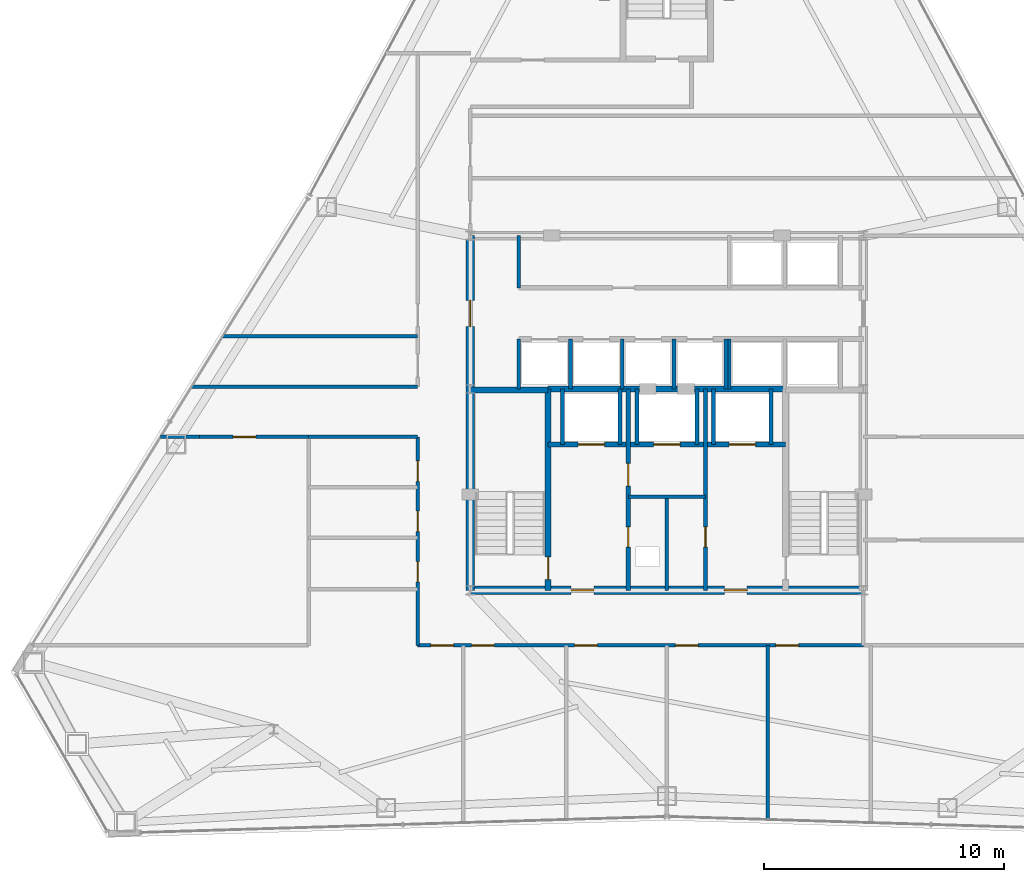
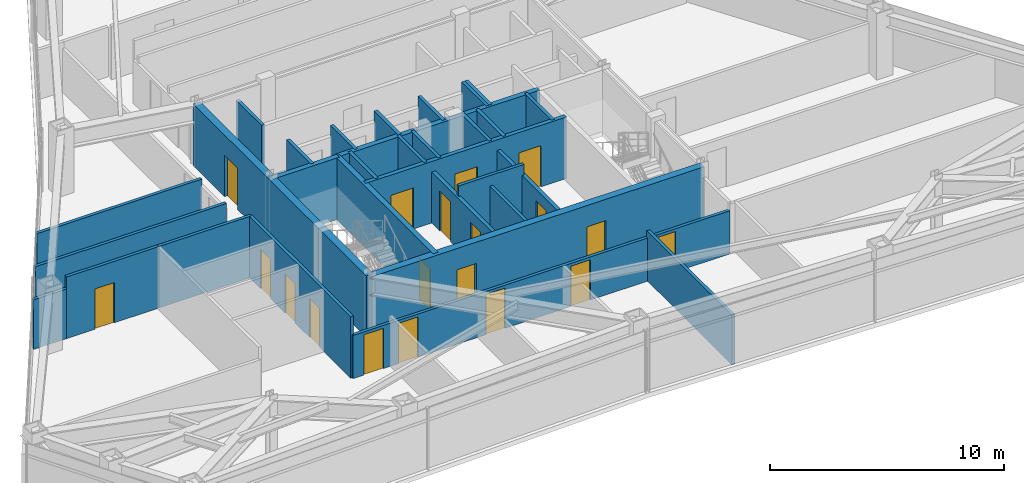
# One storey, part 10 of 13: 31 walls, 19 doors, 19 openings.
"""IFC4 building model written with IfcOpenShell, lengths in metres."""

from ifc_helpers import new_model, si_unit, direction, frame, frame_2d, origin, place, context, subcontext, project, spatial, rectangle, extrude, material, layer, layer_set, type_object, element, fill, save


model = new_model("IFC4")

# Units and contexts
model_context = context("Model", 3, precision=1e-05, world=origin(), true_north=direction((0.0, 1.0)))
body_context = subcontext(model_context, "Body", "Model", "MODEL_VIEW")
ifc_project = project(units=[si_unit("LENGTHUNIT", "METRE"), si_unit("AREAUNIT", "SQUARE_METRE"), si_unit("VOLUMEUNIT", "CUBIC_METRE"), si_unit("PLANEANGLEUNIT", "RADIAN"), si_unit("MASSUNIT", "GRAM", prefix="KILO")], contexts=[model_context])

# Site, building, storey
site_placement = place(None, origin())
site = spatial("IfcSite", under=ifc_project, at=site_placement, CompositionType="ELEMENT")
building_placement = place(site_placement, origin())
building = spatial("IfcBuilding", under=site, at=building_placement, Name="Varakhsha Concourse Tower", CompositionType="ELEMENT")
storey_placement = place(building_placement, frame((0.0, 0.0, 165.449951171875)))
storey = spatial("IfcBuildingStorey", under=building, at=storey_placement, Name="L47", CompositionType="ELEMENT", Elevation=165.449951171875)

# Wall, openings, doors
ifc_material_1 = material(Name="Concrete fc 65 MPa", Category="concrete")
ifc_layer_1 = layer(ifc_material_1, 0.35009765625, Name="WL-CORE-350")
ifc_layer_set_1 = layer_set([ifc_layer_1], Name="Concrete fc 65 MPa")
wall_type_1 = type_object("IfcWallType", Name="WL-CORE-350", PredefinedType="SHEAR", material=ifc_layer_set_1)
wall_1_placement = place(storey_placement, frame((31.800048828125, 16.39990234375, 0.0), z_axis=(0.0, 0.0, 1.0), x_axis=(1.0, 0.0, 0.0)))
wall_1 = element("IfcWall", 1, at=wall_1_placement, inside=storey, type_object=wall_type_1, Name="L47 Wall CWALL-S-L47", PredefinedType="SHEAR", context=body_context, shape_type="SweptSolid", body=[
    extrude(rectangle(XDim=16.39990234375, YDim=0.35009765625, at=frame_2d((8.199951171875, 0.0))), origin(), (0.0, 0.0, 1.0), 3.2099609375),
])
opening_1_placement = place(wall_1_placement, frame((4.199951171875, 0.0, 0.0)))
opening_1 = element("IfcOpeningElement", 2, at=opening_1_placement, cuts=wall_1, Name="Opening DF-05", PredefinedType="OPENING", context=body_context, shape_type="SweptSolid", body=[
    extrude(rectangle(XDim=0.949951171875, YDim=2.10009765625, at=frame_2d((0.47509765625, 1.050048828125))), frame((0.0, 0.18505859375, 0.0), z_axis=(0.0, -1.0, 0.0), x_axis=(1.0, 0.0, 0.0)), (0.0, 0.0, 1.0), 0.3701171875),
])
opening_2_placement = place(wall_1_placement, frame((10.60009765625, 0.0, 0.0)))
opening_2 = element("IfcOpeningElement", 3, at=opening_2_placement, cuts=wall_1, Name="Opening DF-05", PredefinedType="OPENING", context=body_context, shape_type="SweptSolid", body=[
    extrude(rectangle(XDim=0.949951171875, YDim=2.10009765625, at=frame_2d((0.47509765625, 1.050048828125))), frame((0.0, 0.18505859375, 0.0), z_axis=(0.0, -1.0, 0.0), x_axis=(1.0, 0.0, 0.0)), (0.0, 0.0, 1.0), 0.3701171875),
])
ifc_material_2 = material(Name="Hollow Galvanised Steel Fire Door Assembly", Category="steel")
door_type_1 = type_object("IfcDoorType", Name="DR-FD60-950", OperationType="NOTDEFINED", PredefinedType="DOOR", material=ifc_material_2)
door_1_placement = place(opening_1_placement, origin())
door_1 = element("IfcDoor", 4, at=door_1_placement, inside=storey, type_object=door_type_1, Name="L47 Firefighting Lobby West Door", OperationType="SINGLE_SWING_RIGHT", OverallHeight=2.10009765625, OverallWidth=0.949951171875, PredefinedType="DOOR", context=body_context, shape_type="SweptSolid", body=[
    extrude(rectangle(XDim=0.949951171875, YDim=2.10009765625, at=frame_2d((0.47509765625, 1.050048828125))), frame((0.0, 0.02490234375, 0.0), z_axis=(0.0, -1.0, 0.0), x_axis=(1.0, 0.0, 0.0)), (0.0, 0.0, 1.0), 0.050048828125),
])
fill(opening_1, door_1)
door_2_placement = place(opening_2_placement, origin())
door_2 = element("IfcDoor", 5, at=door_2_placement, inside=storey, type_object=door_type_1, Name="L47 Firefighting Lobby East Door", OperationType="SINGLE_SWING_LEFT", OverallHeight=2.10009765625, OverallWidth=0.949951171875, PredefinedType="DOOR", context=body_context, shape_type="SweptSolid", body=[
    extrude(rectangle(XDim=0.949951171875, YDim=2.10009765625, at=frame_2d((0.47509765625, 1.050048828125))), frame((0.0, 0.02490234375, 0.0), z_axis=(0.0, -1.0, 0.0), x_axis=(1.0, 0.0, 0.0)), (0.0, 0.0, 1.0), 0.050048828125),
])
fill(opening_2, door_2)

# Wall, opening, door
wall_2_placement = place(storey_placement, frame((31.800048828125, 16.39990234375, 0.0), z_axis=(0.0, 0.0, 1.0), x_axis=(0.0, 1.0, 0.0)))
wall_2 = element("IfcWall", 6, at=wall_2_placement, inside=storey, type_object=wall_type_1, Name="L47 Wall CWALL-W-L47", PredefinedType="SHEAR", context=body_context, shape_type="SweptSolid", body=[
    extrude(rectangle(XDim=14.800048828125, YDim=0.35009765625, at=frame_2d((7.39990234375, 0.0))), origin(), (0.0, 0.0, 1.0), 3.2099609375),
])
opening_3_placement = place(wall_2_placement, frame((11.0, 0.0, 0.0)))
opening_3 = element("IfcOpeningElement", 7, at=opening_3_placement, cuts=wall_2, Name="Opening DL-01", PredefinedType="OPENING", context=body_context, shape_type="SweptSolid", body=[
    extrude(rectangle(XDim=1.10009765625, YDim=2.14990234375, at=frame_2d((0.550048828125, 1.074951171875))), frame((0.0, 0.18505859375, 0.0), z_axis=(0.0, -1.0, 0.0), x_axis=(1.0, 0.0, 0.0)), (0.0, 0.0, 1.0), 0.3701171875),
])
ifc_material_3 = material(Name="Anodised Bronze Architectural Aluminium AA 6063-T6", Category="aluminium")
door_type_2 = type_object("IfcDoorType", Name="DR-LOB-1100", OperationType="NOTDEFINED", PredefinedType="DOOR", material=ifc_material_3)
door_3_placement = place(opening_3_placement, origin())
door_3 = element("IfcDoor", 8, at=door_3_placement, inside=storey, type_object=door_type_2, Name="L47 Lift Lobby West Concourse Door", OperationType="SINGLE_SWING_LEFT", OverallHeight=2.14990234375, OverallWidth=1.10009765625, PredefinedType="DOOR", context=body_context, shape_type="SweptSolid", body=[
    extrude(rectangle(XDim=1.10009765625, YDim=2.14990234375, at=frame_2d((0.550048828125, 1.074951171875))), frame((0.0, 0.02490234375, 0.0), z_axis=(0.0, -1.0, 0.0), x_axis=(1.0, 0.0, 0.0)), (0.0, 0.0, 1.0), 0.050048828125),
])
fill(opening_3, door_3)

# Wall, openings, doors
ifc_material_4 = material(Name="Fire-Rated Type X Gypsum Partition Assembly", Category="gypsum")
ifc_layer_2 = layer(ifc_material_4, 0.179931640625, Name="WL-FFLOB-180")
ifc_layer_set_2 = layer_set([ifc_layer_2], Name="Fire-Rated Type X Gypsum Partition Assembly")
wall_type_2 = type_object("IfcWallType", Name="WL-FFLOB-180", PredefinedType="PARTITIONING", material=ifc_layer_set_2)
wall_3_placement = place(storey_placement, frame((38.389892578125, 16.39990234375, 0.0), z_axis=(0.0, 0.0, 1.0), x_axis=(0.0, 1.0, 0.0)))
wall_3 = element("IfcWall", 9, at=wall_3_placement, inside=storey, type_object=wall_type_2, Name="L47 Wall FFW-1E-L47", PredefinedType="PARTITIONING", context=body_context, shape_type="SweptSolid", body=[
    extrude(rectangle(XDim=8.400146484375, YDim=0.179931640625, at=frame_2d((4.2001953125, 0.0))), origin(), (0.0, 0.0, 1.0), 2.6650390625),
])
opening_4_placement = place(wall_3_placement, frame((1.800048828125, 0.0, 0.0)))
opening_4 = element("IfcOpeningElement", 10, at=opening_4_placement, cuts=wall_3, Name="Opening DF-07", PredefinedType="OPENING", context=body_context, shape_type="SweptSolid", body=[
    extrude(rectangle(XDim=0.85009765625, YDim=2.050048828125, at=frame_2d((0.425048828125, 1.02490234375))), frame((0.0, 0.099853515625, 0.0), z_axis=(0.0, -1.0, 0.0), x_axis=(1.0, 0.0, 0.0)), (0.0, 0.0, 1.0), 0.199951171875),
])
opening_5_placement = place(wall_3_placement, frame((4.35009765625, 0.0, 0.0)))
opening_5 = element("IfcOpeningElement", 11, at=opening_5_placement, cuts=wall_3, Name="Opening DF-05", PredefinedType="OPENING", context=body_context, shape_type="SweptSolid", body=[
    extrude(rectangle(XDim=0.949951171875, YDim=2.10009765625, at=frame_2d((0.47509765625, 1.050048828125))), frame((0.0, 0.099853515625, 0.0), z_axis=(0.0, -1.0, 0.0), x_axis=(1.0, 0.0, 0.0)), (0.0, 0.0, 1.0), 0.199951171875),
])
door_type_3 = type_object("IfcDoorType", Name="DR-FD60-850", OperationType="NOTDEFINED", PredefinedType="DOOR", material=ifc_material_2)
door_4_placement = place(opening_4_placement, origin())
door_4 = element("IfcDoor", 12, at=door_4_placement, inside=storey, type_object=door_type_3, Name="L47 Power Metering Closet Door", OperationType="SINGLE_SWING_LEFT", OverallHeight=2.050048828125, OverallWidth=0.85009765625, PredefinedType="DOOR", context=body_context, shape_type="SweptSolid", body=[
    extrude(rectangle(XDim=0.85009765625, YDim=2.050048828125, at=frame_2d((0.425048828125, 1.02490234375))), frame((0.0, 0.02490234375, 0.0), z_axis=(0.0, -1.0, 0.0), x_axis=(1.0, 0.0, 0.0)), (0.0, 0.0, 1.0), 0.050048828125),
])
fill(opening_4, door_4)
door_5_placement = place(opening_5_placement, origin())
door_5 = element("IfcDoor", 13, at=door_5_placement, inside=storey, type_object=door_type_1, Name="L47 Service Vestibule Door", OperationType="SINGLE_SWING_RIGHT", OverallHeight=2.10009765625, OverallWidth=0.949951171875, PredefinedType="DOOR", context=body_context, shape_type="SweptSolid", body=[
    extrude(rectangle(XDim=0.949951171875, YDim=2.10009765625, at=frame_2d((0.47509765625, 1.050048828125))), frame((0.0, 0.02490234375, 0.0), z_axis=(0.0, -1.0, 0.0), x_axis=(1.0, 0.0, 0.0)), (0.0, 0.0, 1.0), 0.050048828125),
])
fill(opening_5, door_5)

# Wall, opening, door
wall_4_placement = place(storey_placement, frame((41.610107421875, 16.39990234375, 0.0), z_axis=(0.0, 0.0, 1.0), x_axis=(0.0, 1.0, 0.0)))
wall_4 = element("IfcWall", 14, at=wall_4_placement, inside=storey, type_object=wall_type_2, Name="L47 Wall FFW-2W-L47", PredefinedType="PARTITIONING", context=body_context, shape_type="SweptSolid", body=[
    extrude(rectangle(XDim=8.400146484375, YDim=0.179931640625, at=frame_2d((4.2001953125, 0.0))), origin(), (0.0, 0.0, 1.0), 2.6650390625),
])
opening_6_placement = place(wall_4_placement, frame((1.800048828125, 0.0, 0.0)))
opening_6 = element("IfcOpeningElement", 15, at=opening_6_placement, cuts=wall_4, Name="Opening DF-07", PredefinedType="OPENING", context=body_context, shape_type="SweptSolid", body=[
    extrude(rectangle(XDim=0.85009765625, YDim=2.050048828125, at=frame_2d((0.425048828125, 1.02490234375))), frame((0.0, 0.099853515625, 0.0), z_axis=(0.0, -1.0, 0.0), x_axis=(1.0, 0.0, 0.0)), (0.0, 0.0, 1.0), 0.199951171875),
])
door_6_placement = place(opening_6_placement, origin())
door_6 = element("IfcDoor", 16, at=door_6_placement, inside=storey, type_object=door_type_3, Name="L47 BMS Control Closet Door", OperationType="SINGLE_SWING_RIGHT", OverallHeight=2.050048828125, OverallWidth=0.85009765625, PredefinedType="DOOR", context=body_context, shape_type="SweptSolid", body=[
    extrude(rectangle(XDim=0.85009765625, YDim=2.050048828125, at=frame_2d((0.425048828125, 1.02490234375))), frame((0.0, 0.02490234375, 0.0), z_axis=(0.0, -1.0, 0.0), x_axis=(1.0, 0.0, 0.0)), (0.0, 0.0, 1.0), 0.050048828125),
])
fill(opening_6, door_6)

# Walls
ifc_layer_3 = layer(ifc_material_4, 0.14990234375, Name="WL-PART-150")
ifc_layer_set_3 = layer_set([ifc_layer_3], Name="Fire-Rated Type X Gypsum Partition Assembly")
wall_type_3 = type_object("IfcWallType", Name="WL-PART-150", PredefinedType="PARTITIONING", material=ifc_layer_set_3)
wall_5_placement = place(storey_placement, frame((38.389892578125, 20.300048828125, 0.0), z_axis=(0.0, 0.0, 1.0), x_axis=(1.0, 0.0, 0.0)))
element("IfcWall", 17, at=wall_5_placement, inside=storey, type_object=wall_type_3, Name="L47 Wall RSW-TH-L47", PredefinedType="PARTITIONING", context=body_context, shape_type="SweptSolid", body=[
    extrude(rectangle(XDim=3.22021484375, YDim=0.14990234375, at=frame_2d((1.610107421875, 0.0))), origin(), (0.0, 0.0, 1.0), 3.2099609375),
])
wall_6_placement = place(storey_placement, frame((40.0, 16.39990234375, 0.0), z_axis=(0.0, 0.0, 1.0), x_axis=(0.0, 1.0, 0.0)))
element("IfcWall", 18, at=wall_6_placement, inside=storey, type_object=wall_type_3, Name="L47 Wall RSW-TV-L47", PredefinedType="PARTITIONING", context=body_context, shape_type="SweptSolid", body=[
    extrude(rectangle(XDim=3.900146484375, YDim=0.14990234375, at=frame_2d((1.9501953125, 0.0))), origin(), (0.0, 0.0, 1.0), 2.6650390625),
])

# Wall, openings, doors
wall_7_placement = place(storey_placement, frame((29.60009765625, 14.10009765625, 0.0), z_axis=(0.0, 0.0, 1.0), x_axis=(1.0, 0.0, 0.0)))
wall_7 = element("IfcWall", 19, at=wall_7_placement, inside=storey, type_object=wall_type_3, Name="L47 Wall CRW-S-L47", PredefinedType="PARTITIONING", context=body_context, shape_type="SweptSolid", body=[
    extrude(rectangle(XDim=18.599853515625, YDim=0.14990234375, at=frame_2d((9.2998046875, 0.0))), origin(), (0.0, 0.0, 1.0), 2.251953125),
])
opening_7_placement = place(wall_7_placement, frame((0.550048828125, 0.0, 0.0)))
opening_7 = element("IfcOpeningElement", 20, at=opening_7_placement, cuts=wall_7, Name="Opening DF-05", PredefinedType="OPENING", context=body_context, shape_type="SweptSolid", body=[
    extrude(rectangle(XDim=0.949951171875, YDim=2.10009765625, at=frame_2d((0.47509765625, 1.050048828125))), frame((0.0, 0.0849609375, 0.0), z_axis=(0.0, -1.0, 0.0), x_axis=(1.0, 0.0, 0.0)), (0.0, 0.0, 1.0), 0.169921875),
])
opening_8_placement = place(wall_7_placement, frame((2.25, 0.0, 0.0)))
opening_8 = element("IfcOpeningElement", 21, at=opening_8_placement, cuts=wall_7, Name="Opening DF-05", PredefinedType="OPENING", context=body_context, shape_type="SweptSolid", body=[
    extrude(rectangle(XDim=0.949951171875, YDim=2.10009765625, at=frame_2d((0.47509765625, 1.050048828125))), frame((0.0, 0.0849609375, 0.0), z_axis=(0.0, -1.0, 0.0), x_axis=(1.0, 0.0, 0.0)), (0.0, 0.0, 1.0), 0.169921875),
])
opening_9_placement = place(wall_7_placement, frame((6.550048828125, 0.0, 0.0)))
opening_9 = element("IfcOpeningElement", 22, at=opening_9_placement, cuts=wall_7, Name="Opening DF-05", PredefinedType="OPENING", context=body_context, shape_type="SweptSolid", body=[
    extrude(rectangle(XDim=0.949951171875, YDim=2.10009765625, at=frame_2d((0.47509765625, 1.050048828125))), frame((0.0, 0.0849609375, 0.0), z_axis=(0.0, -1.0, 0.0), x_axis=(1.0, 0.0, 0.0)), (0.0, 0.0, 1.0), 0.169921875),
])
opening_10_placement = place(wall_7_placement, frame((10.75, 0.0, 0.0)))
opening_10 = element("IfcOpeningElement", 23, at=opening_10_placement, cuts=wall_7, Name="Opening DF-05", PredefinedType="OPENING", context=body_context, shape_type="SweptSolid", body=[
    extrude(rectangle(XDim=0.949951171875, YDim=2.10009765625, at=frame_2d((0.47509765625, 1.050048828125))), frame((0.0, 0.0849609375, 0.0), z_axis=(0.0, -1.0, 0.0), x_axis=(1.0, 0.0, 0.0)), (0.0, 0.0, 1.0), 0.169921875),
])
opening_11_placement = place(wall_7_placement, frame((14.949951171875, 0.0, 0.0)))
opening_11 = element("IfcOpeningElement", 24, at=opening_11_placement, cuts=wall_7, Name="Opening DF-05", PredefinedType="OPENING", context=body_context, shape_type="SweptSolid", body=[
    extrude(rectangle(XDim=0.949951171875, YDim=2.10009765625, at=frame_2d((0.47509765625, 1.050048828125))), frame((0.0, 0.0849609375, 0.0), z_axis=(0.0, -1.0, 0.0), x_axis=(1.0, 0.0, 0.0)), (0.0, 0.0, 1.0), 0.169921875),
])
door_7_placement = place(opening_7_placement, origin())
door_7 = element("IfcDoor", 25, at=door_7_placement, inside=storey, type_object=door_type_1, Name="L47 Project Pitch Room L47-S1 Door", OperationType="SINGLE_SWING_LEFT", OverallHeight=2.10009765625, OverallWidth=0.949951171875, PredefinedType="DOOR", context=body_context, shape_type="SweptSolid", body=[
    extrude(rectangle(XDim=0.949951171875, YDim=2.10009765625, at=frame_2d((0.47509765625, 1.050048828125))), frame((0.0, 0.02490234375, 0.0), z_axis=(0.0, -1.0, 0.0), x_axis=(1.0, 0.0, 0.0)), (0.0, 0.0, 1.0), 0.050048828125),
])
fill(opening_7, door_7)
door_8_placement = place(opening_8_placement, origin())
door_8 = element("IfcDoor", 26, at=door_8_placement, inside=storey, type_object=door_type_1, Name="L47 Hot-Desk Studio Neighborhood L47-S2 Door", OperationType="SINGLE_SWING_RIGHT", OverallHeight=2.10009765625, OverallWidth=0.949951171875, PredefinedType="DOOR", context=body_context, shape_type="SweptSolid", body=[
    extrude(rectangle(XDim=0.949951171875, YDim=2.10009765625, at=frame_2d((0.47509765625, 1.050048828125))), frame((0.0, 0.02490234375, 0.0), z_axis=(0.0, -1.0, 0.0), x_axis=(1.0, 0.0, 0.0)), (0.0, 0.0, 1.0), 0.050048828125),
])
fill(opening_8, door_8)
door_9_placement = place(opening_9_placement, origin())
door_9 = element("IfcDoor", 27, at=door_9_placement, inside=storey, type_object=door_type_1, Name="L47 Hot-Desk Studio Neighborhood L47-S3 Door", OperationType="SINGLE_SWING_LEFT", OverallHeight=2.10009765625, OverallWidth=0.949951171875, PredefinedType="DOOR", context=body_context, shape_type="SweptSolid", body=[
    extrude(rectangle(XDim=0.949951171875, YDim=2.10009765625, at=frame_2d((0.47509765625, 1.050048828125))), frame((0.0, 0.02490234375, 0.0), z_axis=(0.0, -1.0, 0.0), x_axis=(1.0, 0.0, 0.0)), (0.0, 0.0, 1.0), 0.050048828125),
])
fill(opening_9, door_9)
door_10_placement = place(opening_10_placement, origin())
door_10 = element("IfcDoor", 28, at=door_10_placement, inside=storey, type_object=door_type_1, Name="L47 Hot-Desk Studio Neighborhood L47-S4 Door", OperationType="SINGLE_SWING_RIGHT", OverallHeight=2.10009765625, OverallWidth=0.949951171875, PredefinedType="DOOR", context=body_context, shape_type="SweptSolid", body=[
    extrude(rectangle(XDim=0.949951171875, YDim=2.10009765625, at=frame_2d((0.47509765625, 1.050048828125))), frame((0.0, 0.02490234375, 0.0), z_axis=(0.0, -1.0, 0.0), x_axis=(1.0, 0.0, 0.0)), (0.0, 0.0, 1.0), 0.050048828125),
])
fill(opening_10, door_10)
door_11_placement = place(opening_11_placement, origin())
door_11 = element("IfcDoor", 29, at=door_11_placement, inside=storey, type_object=door_type_1, Name="L47 Hot-Desk Studio Neighborhood L47-S5 Door", OperationType="SINGLE_SWING_LEFT", OverallHeight=2.10009765625, OverallWidth=0.949951171875, PredefinedType="DOOR", context=body_context, shape_type="SweptSolid", body=[
    extrude(rectangle(XDim=0.949951171875, YDim=2.10009765625, at=frame_2d((0.47509765625, 1.050048828125))), frame((0.0, 0.02490234375, 0.0), z_axis=(0.0, -1.0, 0.0), x_axis=(1.0, 0.0, 0.0)), (0.0, 0.0, 1.0), 0.050048828125),
])
fill(opening_11, door_11)

wall_8_placement = place(storey_placement, frame((29.60009765625, 14.10009765625, 0.0), z_axis=(0.0, 0.0, 1.0), x_axis=(0.0, 1.0, 0.0)))
wall_8 = element("IfcWall", 30, at=wall_8_placement, inside=storey, type_object=wall_type_3, Name="L47 Wall CRW-WS-L47", PredefinedType="PARTITIONING", context=body_context, shape_type="SweptSolid", body=[
    extrude(rectangle(XDim=8.699951171875, YDim=0.14990234375, at=frame_2d((4.35009765625, 0.0))), origin(), (0.0, 0.0, 1.0), 3.2099609375),
])
opening_12_placement = place(wall_8_placement, frame((2.64990234375, 0.0, 0.0)))
opening_12 = element("IfcOpeningElement", 31, at=opening_12_placement, cuts=wall_8, Name="Opening DF-07", PredefinedType="OPENING", context=body_context, shape_type="SweptSolid", body=[
    extrude(rectangle(XDim=0.85009765625, YDim=2.050048828125, at=frame_2d((0.425048828125, 1.02490234375))), frame((0.0, 0.0849609375, 0.0), z_axis=(0.0, -1.0, 0.0), x_axis=(1.0, 0.0, 0.0)), (0.0, 0.0, 1.0), 0.169921875),
])
opening_13_placement = place(wall_8_placement, frame((4.75, 0.0, 0.0)))
opening_13 = element("IfcOpeningElement", 32, at=opening_13_placement, cuts=wall_8, Name="Opening DF-07", PredefinedType="OPENING", context=body_context, shape_type="SweptSolid", body=[
    extrude(rectangle(XDim=0.85009765625, YDim=2.050048828125, at=frame_2d((0.425048828125, 1.02490234375))), frame((0.0, 0.0849609375, 0.0), z_axis=(0.0, -1.0, 0.0), x_axis=(1.0, 0.0, 0.0)), (0.0, 0.0, 1.0), 0.169921875),
])
opening_14_placement = place(wall_8_placement, frame((6.85009765625, 0.0, 0.0)))
opening_14 = element("IfcOpeningElement", 33, at=opening_14_placement, cuts=wall_8, Name="Opening DF-07", PredefinedType="OPENING", context=body_context, shape_type="SweptSolid", body=[
    extrude(rectangle(XDim=0.85009765625, YDim=2.050048828125, at=frame_2d((0.425048828125, 1.02490234375))), frame((0.0, 0.0849609375, 0.0), z_axis=(0.0, -1.0, 0.0), x_axis=(1.0, 0.0, 0.0)), (0.0, 0.0, 1.0), 0.169921875),
])
door_12_placement = place(opening_12_placement, origin())
door_12 = element("IfcDoor", 34, at=door_12_placement, inside=storey, type_object=door_type_3, Name="L47 Men Restroom WC Door", OperationType="SINGLE_SWING_LEFT", OverallHeight=2.050048828125, OverallWidth=0.85009765625, PredefinedType="DOOR", context=body_context, shape_type="SweptSolid", body=[
    extrude(rectangle(XDim=0.85009765625, YDim=2.050048828125, at=frame_2d((0.425048828125, 1.02490234375))), frame((0.0, 0.02490234375, 0.0), z_axis=(0.0, -1.0, 0.0), x_axis=(1.0, 0.0, 0.0)), (0.0, 0.0, 1.0), 0.050048828125),
])
fill(opening_12, door_12)
door_13_placement = place(opening_13_placement, origin())
door_13 = element("IfcDoor", 35, at=door_13_placement, inside=storey, type_object=door_type_3, Name="L47 Women Restroom WC Door", OperationType="SINGLE_SWING_LEFT", OverallHeight=2.050048828125, OverallWidth=0.85009765625, PredefinedType="DOOR", context=body_context, shape_type="SweptSolid", body=[
    extrude(rectangle(XDim=0.85009765625, YDim=2.050048828125, at=frame_2d((0.425048828125, 1.02490234375))), frame((0.0, 0.02490234375, 0.0), z_axis=(0.0, -1.0, 0.0), x_axis=(1.0, 0.0, 0.0)), (0.0, 0.0, 1.0), 0.050048828125),
])
fill(opening_13, door_13)
door_14_placement = place(opening_14_placement, origin())
door_14 = element("IfcDoor", 36, at=door_14_placement, inside=storey, type_object=door_type_3, Name="L47 Accessible WC Door", OperationType="SINGLE_SWING_LEFT", OverallHeight=2.050048828125, OverallWidth=0.85009765625, PredefinedType="DOOR", context=body_context, shape_type="SweptSolid", body=[
    extrude(rectangle(XDim=0.85009765625, YDim=2.050048828125, at=frame_2d((0.425048828125, 1.02490234375))), frame((0.0, 0.02490234375, 0.0), z_axis=(0.0, -1.0, 0.0), x_axis=(1.0, 0.0, 0.0)), (0.0, 0.0, 1.0), 0.050048828125),
])
fill(opening_14, door_14)

# Walls
wall_9_placement = place(storey_placement, frame((18.875732421875, 22.800048828125, 0.0), z_axis=(0.0, 0.0, 1.0), x_axis=(1.0, 0.0, 0.0)))
element("IfcWall", 37, at=wall_9_placement, inside=storey, type_object=wall_type_3, Name="L47 Wall CRW-WWS-W-L47", PredefinedType="PARTITIONING", context=body_context, shape_type="SweptSolid", body=[
    extrude(rectangle(XDim=1.624267578125, YDim=0.14990234375, at=frame_2d((0.81201171875, 0.0))), origin(), (0.0, 0.0, 1.0), 2.589111328125),
])
wall_10_placement = place(storey_placement, frame((25.050048828125, 22.800048828125, 0.0), z_axis=(0.0, 0.0, 1.0), x_axis=(1.0, 0.0, 0.0)))
element("IfcWall", 38, at=wall_10_placement, inside=storey, type_object=wall_type_3, Name="L47 Wall CRW-WWS-E-L47", PredefinedType="PARTITIONING", context=body_context, shape_type="SweptSolid", body=[
    extrude(rectangle(XDim=4.550048828125, YDim=0.14990234375, at=frame_2d((2.27490234375, 0.0))), origin(), (0.0, 0.0, 1.0), 3.2099609375),
])
wall_11_placement = place(storey_placement, frame((20.17529296875, 24.89990234375, 0.0), z_axis=(0.0, 0.0, 1.0), x_axis=(1.0, 0.0, 0.0)))
element("IfcWall", 39, at=wall_11_placement, inside=storey, type_object=wall_type_3, Name="L47 Wall CRW-WWN-L47", PredefinedType="PARTITIONING", context=body_context, shape_type="SweptSolid", body=[
    extrude(rectangle(XDim=9.4248046875, YDim=0.14990234375, at=frame_2d((4.71240234375, 0.0))), origin(), (0.0, 0.0, 1.0), 2.589111328125),
])
wall_12_placement = place(storey_placement, frame((44.199951171875, 6.837158203125, 0.0), z_axis=(0.0, 0.0, 1.0), x_axis=(0.0, 1.0, 0.0)))
element("IfcWall", 40, at=wall_12_placement, inside=storey, type_object=wall_type_3, Name="L47 Wall ODIV-S4-L47", PredefinedType="PARTITIONING", context=body_context, shape_type="SweptSolid", body=[
    extrude(rectangle(XDim=7.262939453125, YDim=0.14990234375, at=frame_2d((3.63134765625, 0.0))), origin(), (0.0, 0.0, 1.0), 2.589111328125),
])

# Wall, opening, door
wall_13_placement = place(storey_placement, frame((20.5, 22.800048828125, 0.0), z_axis=(0.0, 0.0, 1.0), x_axis=(1.0, 0.0, 0.0)))
wall_13 = element("IfcWall", 41, at=wall_13_placement, inside=storey, type_object=wall_type_3, Name="L47 Wall CRW-WWS-DOOR-L47", PredefinedType="PARTITIONING", context=body_context, shape_type="SweptSolid", body=[
    extrude(rectangle(XDim=4.550048828125, YDim=0.14990234375, at=frame_2d((2.27490234375, 0.0))), origin(), (0.0, 0.0, 1.0), 3.2099609375),
])
opening_15_placement = place(wall_13_placement, frame((1.39990234375, 0.0, 0.0)))
opening_15 = element("IfcOpeningElement", 42, at=opening_15_placement, cuts=wall_13, Name="Opening DF-05", PredefinedType="OPENING", context=body_context, shape_type="SweptSolid", body=[
    extrude(rectangle(XDim=0.949951171875, YDim=2.10009765625, at=frame_2d((0.47509765625, 1.050048828125))), frame((0.0, 0.0849609375, 0.0), z_axis=(0.0, -1.0, 0.0), x_axis=(1.0, 0.0, 0.0)), (0.0, 0.0, 1.0), 0.169921875),
])
door_15_placement = place(opening_15_placement, origin())
door_15 = element("IfcDoor", 43, at=door_15_placement, inside=storey, type_object=door_type_1, Name="L47 Town-Hall Innovation Lounge L47-SW Door", OperationType="SINGLE_SWING_LEFT", OverallHeight=2.10009765625, OverallWidth=0.949951171875, PredefinedType="DOOR", context=body_context, shape_type="SweptSolid", body=[
    extrude(rectangle(XDim=0.949951171875, YDim=2.10009765625, at=frame_2d((0.47509765625, 1.050048828125))), frame((0.0, 0.02490234375, 0.0), z_axis=(0.0, -1.0, 0.0), x_axis=(1.0, 0.0, 0.0)), (0.0, 0.0, 1.0), 0.050048828125),
])
fill(opening_15, door_15)

# Wall
wall_14_placement = place(storey_placement, frame((21.474609375, 27.0, 0.0), z_axis=(0.0, 0.0, 1.0), x_axis=(1.0, 0.0, 0.0)))
element("IfcWall", 44, at=wall_14_placement, inside=storey, type_object=wall_type_3, Name="L47 Wall ODIV-W1-L47", PredefinedType="PARTITIONING", context=body_context, shape_type="SweptSolid", body=[
    extrude(rectangle(XDim=8.12548828125, YDim=0.14990234375, at=frame_2d((4.062744140625, 0.0))), origin(), (0.0, 0.0, 1.0), 2.589111328125),
])

# Wall, openings, doors
ifc_layer_4 = layer(ifc_material_4, 0.199951171875, Name="WL-SHAFT-220")
ifc_layer_set_4 = layer_set([ifc_layer_4], Name="Fire-Rated Type X Gypsum Partition Assembly")
wall_type_4 = type_object("IfcWallType", Name="WL-SHAFT-220", PredefinedType="SOLIDWALL", material=ifc_layer_set_4)
wall_15_placement = place(storey_placement, frame((35.044921875, 22.47998046875, 0.0), z_axis=(0.0, 0.0, 1.0), x_axis=(1.0, 0.0, 0.0)))
wall_15 = element("IfcWall", 45, at=wall_15_placement, inside=storey, type_object=wall_type_4, Name="L47 Wall FFW-NH-L47", PredefinedType="SOLIDWALL", context=body_context, shape_type="SweptSolid", body=[
    extrude(rectangle(XDim=9.91015625, YDim=0.199951171875, at=frame_2d((4.955078125, 0.0))), origin(), (0.0, 0.0, 1.0), 3.2099609375),
])
opening_16_placement = place(wall_15_placement, frame((1.2548828125, 0.0, 0.0)))
opening_16 = element("IfcOpeningElement", 46, at=opening_16_placement, cuts=wall_15, Name="Opening LD-FFL-1", PredefinedType="OPENING", context=body_context, shape_type="SweptSolid", body=[
    extrude(rectangle(XDim=1.10009765625, YDim=2.14990234375, at=frame_2d((0.550048828125, 1.074951171875))), frame((0.0, 0.10986328125, 0.0), z_axis=(0.0, -1.0, 0.0), x_axis=(1.0, 0.0, 0.0)), (0.0, 0.0, 1.0), 0.219970703125),
])
opening_17_placement = place(wall_15_placement, frame((7.554931640625, 0.0, 0.0)))
opening_17 = element("IfcOpeningElement", 47, at=opening_17_placement, cuts=wall_15, Name="Opening LD-FFL-2", PredefinedType="OPENING", context=body_context, shape_type="SweptSolid", body=[
    extrude(rectangle(XDim=1.10009765625, YDim=2.14990234375, at=frame_2d((0.550048828125, 1.074951171875))), frame((0.0, 0.10986328125, 0.0), z_axis=(0.0, -1.0, 0.0), x_axis=(1.0, 0.0, 0.0)), (0.0, 0.0, 1.0), 0.219970703125),
])
opening_18_placement = place(wall_15_placement, frame((4.405029296875, 0.0, 0.0)))
opening_18 = element("IfcOpeningElement", 48, at=opening_18_placement, cuts=wall_15, Name="Opening LD-SVL-1", PredefinedType="OPENING", context=body_context, shape_type="SweptSolid", body=[
    extrude(rectangle(XDim=1.10009765625, YDim=2.14990234375, at=frame_2d((0.550048828125, 1.074951171875))), frame((0.0, 0.10986328125, 0.0), z_axis=(0.0, -1.0, 0.0), x_axis=(1.0, 0.0, 0.0)), (0.0, 0.0, 1.0), 0.219970703125),
])
ifc_material_5 = material(Name="Brushed Austenitic Stainless Steel AISI 316", Category="steel")
door_type_4 = type_object("IfcDoorType", Name="DR-LD-1100", OperationType="DOUBLE_DOOR_SLIDING", PredefinedType="DOOR", material=ifc_material_5)
door_16_placement = place(opening_16_placement, origin())
door_16 = element("IfcDoor", 49, at=door_16_placement, inside=storey, type_object=door_type_4, Name="Lift Landing Door FFL-1 L47", OperationType="DOUBLE_DOOR_SLIDING", OverallHeight=2.14990234375, OverallWidth=1.10009765625, PredefinedType="DOOR", context=body_context, shape_type="SweptSolid", body=[
    extrude(rectangle(XDim=1.10009765625, YDim=2.14990234375, at=frame_2d((0.550048828125, 1.074951171875))), frame((0.0, 0.02490234375, 0.0), z_axis=(0.0, -1.0, 0.0), x_axis=(1.0, 0.0, 0.0)), (0.0, 0.0, 1.0), 0.050048828125),
])
fill(opening_16, door_16)
door_17_placement = place(opening_17_placement, origin())
door_17 = element("IfcDoor", 50, at=door_17_placement, inside=storey, type_object=door_type_4, Name="Lift Landing Door FFL-2 L47", OperationType="DOUBLE_DOOR_SLIDING", OverallHeight=2.14990234375, OverallWidth=1.10009765625, PredefinedType="DOOR", context=body_context, shape_type="SweptSolid", body=[
    extrude(rectangle(XDim=1.10009765625, YDim=2.14990234375, at=frame_2d((0.550048828125, 1.074951171875))), frame((0.0, 0.02490234375, 0.0), z_axis=(0.0, -1.0, 0.0), x_axis=(1.0, 0.0, 0.0)), (0.0, 0.0, 1.0), 0.050048828125),
])
fill(opening_17, door_17)
door_18_placement = place(opening_18_placement, origin())
door_18 = element("IfcDoor", 51, at=door_18_placement, inside=storey, type_object=door_type_4, Name="Lift Landing Door SVL-1 L47", OperationType="DOUBLE_DOOR_SLIDING", OverallHeight=2.14990234375, OverallWidth=1.10009765625, PredefinedType="DOOR", context=body_context, shape_type="SweptSolid", body=[
    extrude(rectangle(XDim=1.10009765625, YDim=2.14990234375, at=frame_2d((0.550048828125, 1.074951171875))), frame((0.0, 0.02490234375, 0.0), z_axis=(0.0, -1.0, 0.0), x_axis=(1.0, 0.0, 0.0)), (0.0, 0.0, 1.0), 0.050048828125),
])
fill(opening_18, door_18)

# Walls
for number, where, z_axis, x_axis, name in (
    (52, (35.64990234375, 22.47998046875, 0.0), (0.0, 0.0, 1.0), (0.0, 1.0, 0.0), "L47 Wall SHW-FFL-1-W-L47"),
    (53, (38.050048828125, 22.47998046875, 0.0), (0.0, 0.0, 1.0), (0.0, 1.0, 0.0), "L47 Wall SHW-FFL-1-E-L47"),
    (54, (41.949951171875, 22.47998046875, 0.0), (0.0, 0.0, 1.0), (0.0, 1.0, 0.0), "L47 Wall SHW-FFL-2-W-L47"),
    (55, (44.35009765625, 22.47998046875, 0.0), (0.0, 0.0, 1.0), (0.0, 1.0, 0.0), "L47 Wall SHW-FFL-2-E-L47"),
    (56, (38.75, 22.47998046875, 0.0), (0.0, 0.0, 1.0), (0.0, 1.0, 0.0), "L47 Wall SHW-SVL-1-W-L47"),
    (57, (41.25, 22.47998046875, 0.0), (0.0, 0.0, 1.0), (0.0, 1.0, 0.0), "L47 Wall SHW-SVL-1-E-L47"),
):
    element("IfcWall", number, at=place(storey_placement, frame(where, z_axis=z_axis, x_axis=x_axis)), inside=storey, type_object=wall_type_4, Name=name, PredefinedType="SOLIDWALL", context=body_context, shape_type="SweptSolid", body=[
        extrude(rectangle(XDim=2.320068359375, YDim=0.159912109375, at=frame_2d((1.16015625, 0.0))), origin(), (0.0, 0.0, 1.0), 3.2099609375),
    ])
wall_16_placement = place(storey_placement, frame((33.820068359375, 29.02001953125, 0.0), z_axis=(0.0, 0.0, 1.0), x_axis=(0.0, 1.0, 0.0)))
element("IfcWall", 58, at=wall_16_placement, inside=storey, type_object=wall_type_4, Name="L47 Wall WBOH-E1-L47", PredefinedType="SOLIDWALL", context=body_context, shape_type="SweptSolid", body=[
    extrude(rectangle(XDim=2.179931640625, YDim=0.159912109375, at=frame_2d((1.08984375, 0.0))), origin(), (0.0, 0.0, 1.0), 2.6650390625),
])
for number, where, z_axis, x_axis, name in (
    (59, (33.820068359375, 24.800048828125, 0.0), (0.0, 0.0, 1.0), (0.0, 1.0, 0.0), "L47 Wall WBOH-E2-L47"),
    (60, (35.97998046875, 24.800048828125, 0.0), (0.0, 0.0, 1.0), (0.0, 1.0, 0.0), "L47 Wall SHW-LF-P05-E-L47"),
    (61, (38.139892578125, 24.800048828125, 0.0), (0.0, 0.0, 1.0), (0.0, 1.0, 0.0), "L47 Wall SHW-LF-P06-E-L47"),
    (62, (40.300048828125, 24.800048828125, 0.0), (0.0, 0.0, 1.0), (0.0, 1.0, 0.0), "L47 Wall SHW-LF-P07-E-L47"),
    (63, (42.4599609375, 24.800048828125, 0.0), (0.0, 0.0, 1.0), (0.0, 1.0, 0.0), "L47 Wall SHW-LF-P08-E-L47"),
    (64, (42.60009765625, 24.800048828125, 0.0), (0.0, 0.0, 1.0), (0.0, 1.0, 0.0), "L47 Wall SHW-LF-P11-W-L47"),
):
    element("IfcWall", number, at=place(storey_placement, frame(where, z_axis=z_axis, x_axis=x_axis)), inside=storey, type_object=wall_type_4, Name=name, PredefinedType="SOLIDWALL", context=body_context, shape_type="SweptSolid", body=[
        extrude(rectangle(XDim=2.079833984375, YDim=0.159912109375, at=frame_2d((1.0400390625, 0.0))), origin(), (0.0, 0.0, 1.0), 3.2099609375),
    ])

# Wall, opening, door
ifc_material_6 = material(Name="Concrete fc 45 MPa", Category="concrete")
ifc_layer_5 = layer(ifc_material_6, 0.25, Name="WL-STAIR-250")
ifc_layer_set_5 = layer_set([ifc_layer_5], Name="Concrete fc 45 MPa")
wall_type_5 = type_object("IfcWallType", Name="WL-STAIR-250", PredefinedType="SHEAR", material=ifc_layer_set_5)
wall_17_placement = place(storey_placement, frame((35.044921875, 16.39990234375, 0.0), z_axis=(0.0, 0.0, 1.0), x_axis=(0.0, 1.0, 0.0)))
wall_17 = element("IfcWall", 65, at=wall_17_placement, inside=storey, type_object=wall_type_5, Name="L47 Wall SWALL-ST1-E-L47", PredefinedType="SHEAR", context=body_context, shape_type="SweptSolid", body=[
    extrude(rectangle(XDim=8.400146484375, YDim=0.25, at=frame_2d((4.2001953125, 0.0))), origin(), (0.0, 0.0, 1.0), 3.2099609375),
])
opening_19_placement = place(wall_17_placement, frame((0.449951171875, 0.0, 0.0)))
opening_19 = element("IfcOpeningElement", 66, at=opening_19_placement, cuts=wall_17, Name="Opening DF-03", PredefinedType="OPENING", context=body_context, shape_type="SweptSolid", body=[
    extrude(rectangle(XDim=0.949951171875, YDim=2.10009765625, at=frame_2d((0.47509765625, 1.050048828125))), frame((0.0, 0.135009765625, 0.0), z_axis=(0.0, -1.0, 0.0), x_axis=(1.0, 0.0, 0.0)), (0.0, 0.0, 1.0), 0.27001953125),
])
door_type_5 = type_object("IfcDoorType", Name="DR-FD90-950", OperationType="NOTDEFINED", PredefinedType="DOOR", material=ifc_material_2)
door_19_placement = place(opening_19_placement, origin())
door_19 = element("IfcDoor", 67, at=door_19_placement, inside=storey, type_object=door_type_5, Name="L47 Stair ST1 Fire Door", OperationType="SINGLE_SWING_LEFT", OverallHeight=2.10009765625, OverallWidth=0.949951171875, PredefinedType="DOOR", context=body_context, shape_type="SweptSolid", body=[
    extrude(rectangle(XDim=0.949951171875, YDim=2.10009765625, at=frame_2d((0.47509765625, 1.050048828125))), frame((0.0, 0.02490234375, 0.0), z_axis=(0.0, -1.0, 0.0), x_axis=(1.0, 0.0, 0.0)), (0.0, 0.0, 1.0), 0.050048828125),
])
fill(opening_19, door_19)

# Walls
wall_18_placement = place(storey_placement, frame((31.800048828125, 24.7548828125, 0.0), z_axis=(0.0, 0.0, 1.0), x_axis=(1.0, 0.0, 0.0)))
element("IfcWall", 68, at=wall_18_placement, inside=storey, type_object=wall_type_5, Name="L47 Wall SWALL-ST1-N-L47", PredefinedType="SHEAR", context=body_context, shape_type="SweptSolid", body=[
    extrude(rectangle(XDim=3.244873046875, YDim=0.25, at=frame_2d((1.62255859375, 0.0))), origin(), (0.0, 0.0, 1.0), 3.2099609375),
])
wall_19_placement = place(storey_placement, frame((35.044921875, 24.800048828125, 0.0), z_axis=(0.0, 0.0, 1.0), x_axis=(1.0, 0.0, 0.0)))
element("IfcWall", 69, at=wall_19_placement, inside=storey, type_object=wall_type_5, Name="L47 Wall SWALL-MID-H-L47", PredefinedType="SHEAR", context=body_context, shape_type="SweptSolid", body=[
    extrude(rectangle(XDim=9.91015625, YDim=0.25, at=frame_2d((4.955078125, 0.0))), origin(), (0.0, 0.0, 1.0), 3.2099609375),
])

save(model, "model.ifc")
